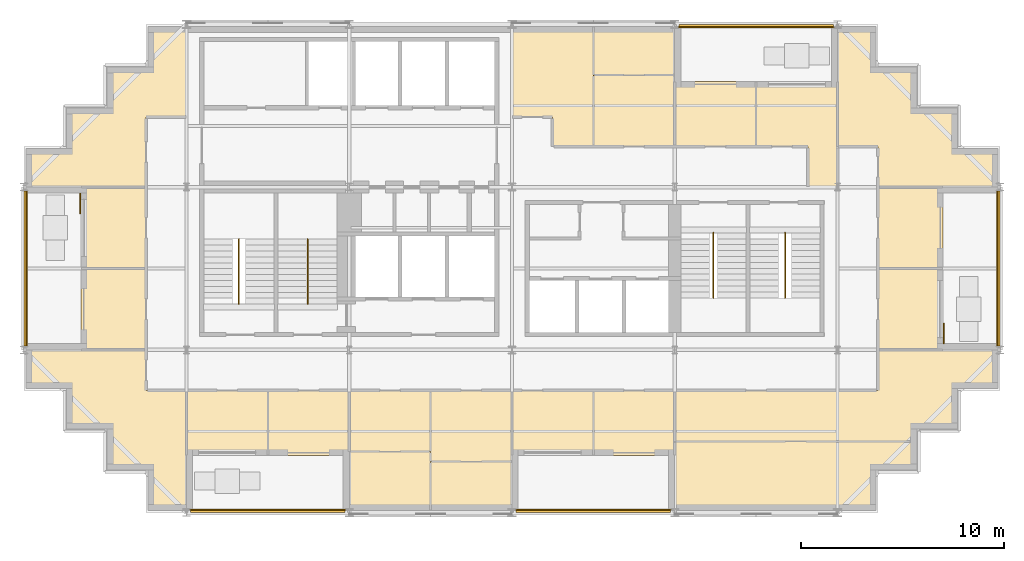
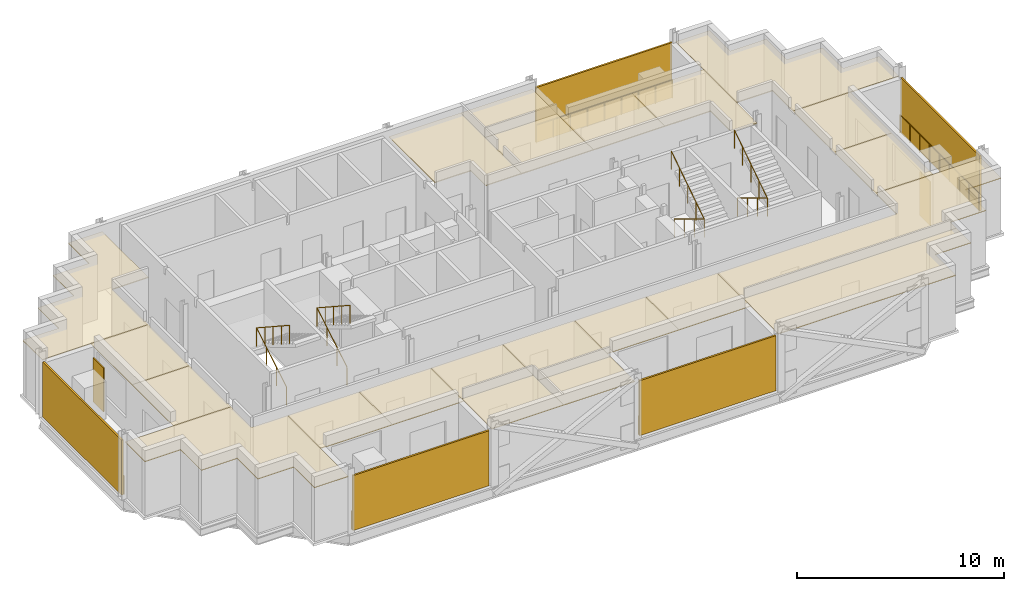
# One storey, part 9 of 10: 22 coverings, 9 railings, 7 shading devices.
"""IFC4 building model written with IfcOpenShell, lengths in metres."""

import ifcopenshell
import ifcopenshell.guid

model = None  # the IFC model being written
_history = None  # IfcOwnerHistory: only IFC2X3 demands one
_inside = {}  # id of a spatial element -> (the spatial element, [elements in it])
_under = {}  # id of a project, library or spatial element -> (it, [spatial elements below it])
_declared = {}  # id of a project -> (the project, [libraries it declares])
_typed = {}  # id of a type object -> (the type object, [elements of that type])
_made_of = {}  # id of a material, layer set ... -> (it, [elements and type objects made of it])


def new_model(schema):
    """Start an empty IFC model of exactly this schema.

    Asked for "IFC4X3", IfcOpenShell would pick the latest addendum, in which some entities
    have other attributes; the version numbers below select the first issue.
    IFC2X3 requires an IfcOwnerHistory on every rooted entity: one is made here for all.
    """
    global model, _history
    if schema == "IFC4X3":
        model = ifcopenshell.file(schema_version=(4, 3, 0, 0))
    else:
        model = ifcopenshell.file(schema=schema)
    _inside.clear()
    _under.clear()
    _declared.clear()
    _typed.clear()
    _made_of.clear()
    _history = None
    if model.schema == "IFC2X3":
        org = make("IfcOrganization", Name="unknown")
        user = make(
            "IfcPersonAndOrganization",
            ThePerson=make("IfcPerson", FamilyName="unknown"),
            TheOrganization=org,
        )
        app = make(
            "IfcApplication",
            ApplicationDeveloper=org,
            Version="unknown",
            ApplicationFullName="unknown",
            ApplicationIdentifier="unknown",
        )
        _history = make(
            "IfcOwnerHistory",
            OwningUser=user,
            OwningApplication=app,
            ChangeAction="ADDED",
            CreationDate=0,
        )
    return model


def make(cls, **values):
    """One entity of the class cls with the attributes given. An attribute that is None is left unset."""
    return model.create_entity(
        cls, **{name: value for name, value in values.items() if value is not None}
    )


def rooted(cls, **values):
    """An entity with a GlobalId (a new one), such as an element, a storey or a relation."""
    return make(cls, GlobalId=ifcopenshell.guid.new(), OwnerHistory=_history, **values)


def si_unit(unit_type, name, prefix=None):
    """IfcSIUnit, for example si_unit("LENGTHUNIT", "METRE", prefix="MILLI")."""
    return make("IfcSIUnit", UnitType=unit_type, Prefix=prefix, Name=name)


def assignment(units):
    """IfcUnitAssignment: the units of a project."""
    return None if units is None else make("IfcUnitAssignment", Units=units)


def point(xyz):
    """IfcCartesianPoint."""
    return None if xyz is None else make("IfcCartesianPoint", Coordinates=xyz)


def direction(xyz):
    """IfcDirection."""
    return None if xyz is None else make("IfcDirection", DirectionRatios=xyz)


def frame(location, z_axis=None, x_axis=None):
    """IfcAxis2Placement3D, a coordinate frame: its origin and axes. An axis left out is left unset."""
    return make(
        "IfcAxis2Placement3D",
        Location=point(location),
        Axis=direction(z_axis),
        RefDirection=direction(x_axis),
    )


def frame_2d(location, x_axis=None):
    """IfcAxis2Placement2D, a coordinate frame in the plane: its origin and x axis."""
    return make(
        "IfcAxis2Placement2D", Location=point(location), RefDirection=direction(x_axis)
    )


def origin():
    """The frame at (0, 0, 0) with its axes left unset."""
    return frame((0.0, 0.0, 0.0))


def origin_2d():
    """The frame at (0, 0) in the plane with its x axis left unset."""
    return frame_2d((0.0, 0.0))


def place(relative_to, where):
    """IfcLocalPlacement: puts the frame where relative to a parent placement (None: the world)."""
    return make(
        "IfcLocalPlacement", PlacementRelTo=relative_to, RelativePlacement=where
    )


def context(
    kind, dimensions, precision=None, world=None, true_north=None, identifier=None
):
    """IfcGeometricRepresentationContext, for example the 3D "Model" context."""
    return make(
        "IfcGeometricRepresentationContext",
        ContextIdentifier=identifier,
        ContextType=kind,
        CoordinateSpaceDimension=dimensions,
        Precision=precision,
        WorldCoordinateSystem=world,
        TrueNorth=true_north,
    )


def subcontext(parent, identifier, kind, view, scale=None):
    """IfcGeometricRepresentationSubContext, for example "Body" below "Model"."""
    return make(
        "IfcGeometricRepresentationSubContext",
        ContextIdentifier=identifier,
        ContextType=kind,
        ParentContext=parent,
        TargetScale=scale,
        TargetView=view,
    )


def project(units=None, contexts=None):
    """IfcProject with its units and contexts."""
    return rooted(
        "IfcProject",
        Name="project",
        RepresentationContexts=contexts,
        UnitsInContext=assignment(units),
    )


def spatial(cls, under=None, at=None, **own):
    """A site, building, storey or space (cls), placed at a placement, below another one or the project."""
    s = rooted(cls, ObjectPlacement=at, **own)
    if under is not None:
        _under.setdefault(under.id(), (under, []))[1].append(s)
    return s


def polyline(points):
    """IfcPolyline through the points."""
    return make("IfcPolyline", Points=[point(p) for p in points])


def profile(cls, at=None, kind="AREA", **sizes):
    """A parametric profile (cls). Its sizes go by their IFC names, for example OverallWidth=200.0."""
    return make(cls, ProfileType=kind, Position=at, **sizes)


def rectangle(**sizes):
    """IfcRectangleProfileDef."""
    return profile("IfcRectangleProfileDef", **sizes)


def circle(**sizes):
    """IfcCircleProfileDef."""
    return profile("IfcCircleProfileDef", **sizes)


def outline(outer, holes=None, kind="AREA"):
    """IfcArbitraryClosedProfileDef: a profile drawn as a closed curve; with holes, ...WithVoids."""
    if holes is None:
        return make("IfcArbitraryClosedProfileDef", ProfileType=kind, OuterCurve=outer)
    return make(
        "IfcArbitraryProfileDefWithVoids",
        ProfileType=kind,
        OuterCurve=outer,
        InnerCurves=holes,
    )


def extrude(swept, where, along, depth):
    """IfcExtrudedAreaSolid: the profile swept, set in the frame where, extruded along a direction by depth."""
    return make(
        "IfcExtrudedAreaSolid",
        SweptArea=swept,
        Position=where,
        ExtrudedDirection=direction(along),
        Depth=depth,
    )


def shape(context_of_items, identifier, shape_type, items):
    """IfcShapeRepresentation: the items that make up one representation, for example the "Body"."""
    return make(
        "IfcShapeRepresentation",
        ContextOfItems=context_of_items,
        RepresentationIdentifier=identifier,
        RepresentationType=shape_type,
        Items=items,
    )


def material(Name=None, Category=None):
    """IfcMaterial."""
    return make("IfcMaterial", Name=Name, Category=Category)


def layer(
    of_material, thickness, ventilated=None, Name=None, Category=None, Priority=None
):
    """IfcMaterialLayer: one layer of a wall or slab, of a material (None: an air gap)."""
    return make(
        "IfcMaterialLayer",
        Material=of_material,
        LayerThickness=thickness,
        IsVentilated=ventilated,
        Name=Name,
        Category=Category,
        Priority=Priority,
    )


def layer_set(layers, Name=None):
    """IfcMaterialLayerSet."""
    return make("IfcMaterialLayerSet", MaterialLayers=layers, LayerSetName=Name)


def made_of(thing, what):
    """Note that an element or type object is made of a material, layer set ...; save() writes the relation."""
    if what is not None:
        _made_of.setdefault(what.id(), (what, []))[1].append(thing)
    return thing


def type_object(cls, material=None, **own):
    """A type object (cls), such as IfcWallType, which elements share."""
    return made_of(rooted(cls, **own), material)


def element(
    cls,
    number,
    at=None,
    inside=None,
    cuts=None,
    type_object=None,
    material=None,
    context=None,
    identifier="Body",
    shape_type=None,
    held_by="IfcProductDefinitionShape",
    body=None,
    shapes=None,
    **own,
):
    """One element of the class cls, such as IfcWall. Its Tag is "e" and its number.

    at: its placement. inside: the storey or other place that contains it. cuts: it is an
    opening in that element (IfcRelVoidsElement). A single representation is given by context,
    identifier, shape_type and body (its items); several are given by shapes. held_by: the class
    of the entity that holds the representations. save() writes the other relations.
    """
    e = rooted(cls, Tag="e%d" % number, ObjectPlacement=at, **own)
    if body is not None:
        shapes = [shape(context, identifier, shape_type, body)]
    if shapes is not None:
        e.Representation = make(held_by, Representations=shapes)
    if inside is not None:
        _inside.setdefault(inside.id(), (inside, []))[1].append(e)
    if cuts is not None:
        rooted(
            "IfcRelVoidsElement", RelatingBuildingElement=cuts, RelatedOpeningElement=e
        )
    if type_object is not None:
        _typed.setdefault(type_object.id(), (type_object, []))[1].append(e)
    return made_of(e, material)


def aggregate(whole, parts):
    """IfcRelAggregates: a whole, such as a stair, and the parts it consists of."""
    return rooted("IfcRelAggregates", RelatingObject=whole, RelatedObjects=parts)


def save(model, path):
    """Write the relations noted so far, then the file.

    IfcRelAggregates (storeys below a building ...), IfcRelContainedInSpatialStructure (elements
    in a storey), IfcRelDefinesByType, IfcRelAssociatesMaterial and IfcRelDeclares: one each for
    every whole, place, type object, material and project.
    """
    for whole, parts in _under.values():
        aggregate(whole, parts)
    for where, things in _inside.values():
        rooted(
            "IfcRelContainedInSpatialStructure",
            RelatedElements=things,
            RelatingStructure=where,
        )
    for kind, things in _typed.values():
        rooted("IfcRelDefinesByType", RelatedObjects=things, RelatingType=kind)
    for what, things in _made_of.values():
        rooted("IfcRelAssociatesMaterial", RelatedObjects=things, RelatingMaterial=what)
    for by, libraries in _declared.values():
        rooted("IfcRelDeclares", RelatingContext=by, RelatedDefinitions=libraries)
    model.write(path)


model = new_model("IFC4")

# Units and contexts
model_context = context("Model", 3, precision=1e-05, world=origin(), true_north=direction((0.0, 1.0)))
body_context = subcontext(model_context, "Body", "Model", "MODEL_VIEW")
ifc_project = project(units=[si_unit("LENGTHUNIT", "METRE"), si_unit("AREAUNIT", "SQUARE_METRE"), si_unit("VOLUMEUNIT", "CUBIC_METRE"), si_unit("PLANEANGLEUNIT", "RADIAN"), si_unit("MASSUNIT", "GRAM", prefix="KILO")], contexts=[model_context])

# Site, building, storey
site_placement = place(None, origin())
site = spatial("IfcSite", under=ifc_project, at=site_placement, CompositionType="ELEMENT")
building_placement = place(site_placement, origin())
building = spatial("IfcBuilding", under=site, at=building_placement, Name="Immortelle Media Tower", CompositionType="ELEMENT")
storey_placement = place(building_placement, frame((0.0, 0.0, 279.0)))
storey = spatial("IfcBuildingStorey", under=building, at=storey_placement, Name="L61", CompositionType="ELEMENT", Elevation=279.0)

# Railings
ifc_material_1 = material(Name="Powder-coated aluminium fretwork panel, laminated glass backing", Category="aluminium")
railing_type_1 = type_object("IfcRailingType", Name="Fretwork balustrade 1100", PredefinedType="BALUSTRADE", material=ifc_material_1)
railing_1_placement = place(storey_placement, frame((8.1865234375, 0.139892578125, 0.0)))
element("IfcRailing", 1, at=railing_1_placement, inside=storey, type_object=railing_type_1, Name="Fretwork balustrade L61 S0", PredefinedType="BALUSTRADE", context=body_context, shape_type="SweptSolid", body=[
    extrude(circle(Radius=0.02490234375, at=origin_2d()), frame((0.0, 0.0, 1.0751953125), z_axis=(1.0, 0.0, 0.0), x_axis=(0.0, 1.0, 0.0)), (0.0, 0.0, 1.0), 7.614013671875),
    extrude(circle(Radius=0.02001953125, at=origin_2d()), origin(), (0.0, 0.0, 1.0), 1.050048828125),
    extrude(circle(Radius=0.02001953125, at=origin_2d()), frame((0.95166015625, 0.0, 0.0)), (0.0, 0.0, 1.0), 1.050048828125),
    extrude(circle(Radius=0.02001953125, at=origin_2d()), frame((1.903564453125, 0.0, 0.0)), (0.0, 0.0, 1.0), 1.050048828125),
    extrude(circle(Radius=0.02001953125, at=origin_2d()), frame((2.855224609375, 0.0, 0.0)), (0.0, 0.0, 1.0), 1.050048828125),
    extrude(circle(Radius=0.02001953125, at=origin_2d()), frame((3.80712890625, 0.0, 0.0)), (0.0, 0.0, 1.0), 1.050048828125),
    extrude(circle(Radius=0.02001953125, at=origin_2d()), frame((4.7587890625, 0.0, 0.0)), (0.0, 0.0, 1.0), 1.050048828125),
    extrude(circle(Radius=0.02001953125, at=origin_2d()), frame((5.71044921875, 0.0, 0.0)), (0.0, 0.0, 1.0), 1.050048828125),
    extrude(circle(Radius=0.02001953125, at=origin_2d()), frame((6.662353515625, 0.0, 0.0)), (0.0, 0.0, 1.0), 1.050048828125),
    extrude(circle(Radius=0.02001953125, at=origin_2d()), frame((7.614013671875, 0.0, 0.0)), (0.0, 0.0, 1.0), 1.050048828125),
])
railing_2_placement = place(storey_placement, frame((24.199462890625, 0.139892578125, 0.0)))
element("IfcRailing", 2, at=railing_2_placement, inside=storey, type_object=railing_type_1, Name="Fretwork balustrade L61 S2", PredefinedType="BALUSTRADE", context=body_context, shape_type="SweptSolid", body=[
    extrude(circle(Radius=0.02490234375, at=origin_2d()), frame((0.0, 0.0, 1.0751953125), z_axis=(1.0, 0.0, 0.0), x_axis=(0.0, 1.0, 0.0)), (0.0, 0.0, 1.0), 7.60107421875),
    extrude(circle(Radius=0.02001953125, at=origin_2d()), origin(), (0.0, 0.0, 1.0), 1.050048828125),
    extrude(circle(Radius=0.02001953125, at=origin_2d()), frame((0.9501953125, 0.0, 0.0)), (0.0, 0.0, 1.0), 1.050048828125),
    extrude(circle(Radius=0.02001953125, at=origin_2d()), frame((1.900390625, 0.0, 0.0)), (0.0, 0.0, 1.0), 1.050048828125),
    extrude(circle(Radius=0.02001953125, at=origin_2d()), frame((2.850341796875, 0.0, 0.0)), (0.0, 0.0, 1.0), 1.050048828125),
    extrude(circle(Radius=0.02001953125, at=origin_2d()), frame((3.800537109375, 0.0, 0.0)), (0.0, 0.0, 1.0), 1.050048828125),
    extrude(circle(Radius=0.02001953125, at=origin_2d()), frame((4.750732421875, 0.0, 0.0)), (0.0, 0.0, 1.0), 1.050048828125),
    extrude(circle(Radius=0.02001953125, at=origin_2d()), frame((5.70068359375, 0.0, 0.0)), (0.0, 0.0, 1.0), 1.050048828125),
    extrude(circle(Radius=0.02001953125, at=origin_2d()), frame((6.65087890625, 0.0, 0.0)), (0.0, 0.0, 1.0), 1.050048828125),
    extrude(circle(Radius=0.02001953125, at=origin_2d()), frame((7.60107421875, 0.0, 0.0)), (0.0, 0.0, 1.0), 1.050048828125),
])
railing_3_placement = place(storey_placement, frame((47.860107421875, 8.18408203125, 0.0)))
element("IfcRailing", 3, at=railing_3_placement, inside=storey, type_object=railing_type_1, Name="Fretwork balustrade L61 E0", PredefinedType="BALUSTRADE", context=body_context, shape_type="SweptSolid", body=[
    extrude(circle(Radius=0.02490234375, at=origin_2d()), frame((0.0, 0.0, 1.0751953125), z_axis=(0.0, 1.0, 0.0), x_axis=(-1.0, 0.0, 0.0)), (0.0, 0.0, 1.0), 7.6318359375),
    extrude(circle(Radius=0.02001953125, at=origin_2d()), origin(), (0.0, 0.0, 1.0), 1.050048828125),
    extrude(circle(Radius=0.02001953125, at=origin_2d()), frame((0.0, 0.9541015625, 0.0)), (0.0, 0.0, 1.0), 1.050048828125),
    extrude(circle(Radius=0.02001953125, at=origin_2d()), frame((0.0, 1.907958984375, 0.0)), (0.0, 0.0, 1.0), 1.050048828125),
    extrude(circle(Radius=0.02001953125, at=origin_2d()), frame((0.0, 2.86181640625, 0.0)), (0.0, 0.0, 1.0), 1.050048828125),
    extrude(circle(Radius=0.02001953125, at=origin_2d()), frame((0.0, 3.81591796875, 0.0)), (0.0, 0.0, 1.0), 1.050048828125),
    extrude(circle(Radius=0.02001953125, at=origin_2d()), frame((0.0, 4.77001953125, 0.0)), (0.0, 0.0, 1.0), 1.050048828125),
    extrude(circle(Radius=0.02001953125, at=origin_2d()), frame((0.0, 5.723876953125, 0.0)), (0.0, 0.0, 1.0), 1.050048828125),
    extrude(circle(Radius=0.02001953125, at=origin_2d()), frame((0.0, 6.677734375, 0.0)), (0.0, 0.0, 1.0), 1.050048828125),
    extrude(circle(Radius=0.02001953125, at=origin_2d()), frame((0.0, 7.6318359375, 0.0)), (0.0, 0.0, 1.0), 1.050048828125),
])
railing_4_placement = place(storey_placement, frame((39.8134765625, 23.860107421875, 0.0)))
element("IfcRailing", 4, at=railing_4_placement, inside=storey, type_object=railing_type_1, Name="Fretwork balustrade L61 N0", PredefinedType="BALUSTRADE", context=body_context, shape_type="SweptSolid", body=[
    extrude(circle(Radius=0.02490234375, at=origin_2d()), frame((0.0, 0.0, 1.0751953125), z_axis=(-1.0, 0.0, 0.0), x_axis=(0.0, -1.0, 0.0)), (0.0, 0.0, 1.0), 7.614013671875),
    extrude(circle(Radius=0.02001953125, at=origin_2d()), origin(), (0.0, 0.0, 1.0), 1.050048828125),
    extrude(circle(Radius=0.02001953125, at=origin_2d()), frame((-0.95166015625, 0.0, 0.0)), (0.0, 0.0, 1.0), 1.050048828125),
    extrude(circle(Radius=0.02001953125, at=origin_2d()), frame((-1.903564453125, 0.0, 0.0)), (0.0, 0.0, 1.0), 1.050048828125),
    extrude(circle(Radius=0.02001953125, at=origin_2d()), frame((-2.855224609375, 0.0, 0.0)), (0.0, 0.0, 1.0), 1.050048828125),
    extrude(circle(Radius=0.02001953125, at=origin_2d()), frame((-3.80712890625, 0.0, 0.0)), (0.0, 0.0, 1.0), 1.050048828125),
    extrude(circle(Radius=0.02001953125, at=origin_2d()), frame((-4.7587890625, 0.0, 0.0)), (0.0, 0.0, 1.0), 1.050048828125),
    extrude(circle(Radius=0.02001953125, at=origin_2d()), frame((-5.71044921875, 0.0, 0.0)), (0.0, 0.0, 1.0), 1.050048828125),
    extrude(circle(Radius=0.02001953125, at=origin_2d()), frame((-6.662353515625, 0.0, 0.0)), (0.0, 0.0, 1.0), 1.050048828125),
    extrude(circle(Radius=0.02001953125, at=origin_2d()), frame((-7.614013671875, 0.0, 0.0)), (0.0, 0.0, 1.0), 1.050048828125),
])
railing_5_placement = place(storey_placement, frame((0.139892578125, 15.81591796875, 0.0)))
element("IfcRailing", 5, at=railing_5_placement, inside=storey, type_object=railing_type_1, Name="Fretwork balustrade L61 W0", PredefinedType="BALUSTRADE", context=body_context, shape_type="SweptSolid", body=[
    extrude(circle(Radius=0.02490234375, at=origin_2d()), frame((0.0, 0.0, 1.0751953125), z_axis=(0.0, -1.0, 0.0), x_axis=(1.0, 0.0, 0.0)), (0.0, 0.0, 1.0), 7.6318359375),
    extrude(circle(Radius=0.02001953125, at=origin_2d()), origin(), (0.0, 0.0, 1.0), 1.050048828125),
    extrude(circle(Radius=0.02001953125, at=origin_2d()), frame((0.0, -0.9541015625, 0.0)), (0.0, 0.0, 1.0), 1.050048828125),
    extrude(circle(Radius=0.02001953125, at=origin_2d()), frame((0.0, -1.907958984375, 0.0)), (0.0, 0.0, 1.0), 1.050048828125),
    extrude(circle(Radius=0.02001953125, at=origin_2d()), frame((0.0, -2.86181640625, 0.0)), (0.0, 0.0, 1.0), 1.050048828125),
    extrude(circle(Radius=0.02001953125, at=origin_2d()), frame((0.0, -3.81591796875, 0.0)), (0.0, 0.0, 1.0), 1.050048828125),
    extrude(circle(Radius=0.02001953125, at=origin_2d()), frame((0.0, -4.77001953125, 0.0)), (0.0, 0.0, 1.0), 1.050048828125),
    extrude(circle(Radius=0.02001953125, at=origin_2d()), frame((0.0, -5.723876953125, 0.0)), (0.0, 0.0, 1.0), 1.050048828125),
    extrude(circle(Radius=0.02001953125, at=origin_2d()), frame((0.0, -6.677734375, 0.0)), (0.0, 0.0, 1.0), 1.050048828125),
    extrude(circle(Radius=0.02001953125, at=origin_2d()), frame((0.0, -7.6318359375, 0.0)), (0.0, 0.0, 1.0), 1.050048828125),
])

# Shading devices
ifc_material_2 = material(Name="Pale aluminium louvre blades", Category="aluminium")
ifc_layer_1 = layer(ifc_material_2, 0.10009765625)
ifc_layer_set_1 = layer_set([ifc_layer_1], Name="Pale aluminium louvre blades")
shading_device_type_1 = type_object("IfcShadingDeviceType", Name="Jalousie screen 100", PredefinedType="JALOUSIE", material=ifc_layer_set_1)
shading_device_1_placement = place(storey_placement, frame((11.993408203125, 0.050048828125, 0.0), z_axis=(0.0, 0.0, 1.0), x_axis=(1.0, 0.0, 0.0)))
element("IfcShadingDevice", 6, at=shading_device_1_placement, inside=storey, type_object=shading_device_type_1, Name="Jalousie screen L61 S0", PredefinedType="JALOUSIE", context=body_context, shape_type="SweptSolid", body=[
    extrude(rectangle(XDim=7.614013671875, YDim=0.10009765625, at=origin_2d()), origin(), (0.0, 0.0, 1.0), 3.248046875),
])
shading_device_2_placement = place(storey_placement, frame((28.0, 0.050048828125, 0.0), z_axis=(0.0, 0.0, 1.0), x_axis=(1.0, 0.0, 0.0)))
element("IfcShadingDevice", 7, at=shading_device_2_placement, inside=storey, type_object=shading_device_type_1, Name="Jalousie screen L61 S2", PredefinedType="JALOUSIE", context=body_context, shape_type="SweptSolid", body=[
    extrude(rectangle(XDim=7.60107421875, YDim=0.10009765625, at=origin_2d()), origin(), (0.0, 0.0, 1.0), 3.248046875),
])
shading_device_3_placement = place(storey_placement, frame((47.949951171875, 12.0, 0.0), z_axis=(0.0, 0.0, 1.0), x_axis=(0.0, 1.0, 0.0)))
element("IfcShadingDevice", 8, at=shading_device_3_placement, inside=storey, type_object=shading_device_type_1, Name="Jalousie screen L61 E0", PredefinedType="JALOUSIE", context=body_context, shape_type="SweptSolid", body=[
    extrude(rectangle(XDim=7.632080078125, YDim=0.10009765625, at=origin_2d()), origin(), (0.0, 0.0, 1.0), 3.248046875),
])
shading_device_4_placement = place(storey_placement, frame((36.006591796875, 23.949951171875, 0.0), z_axis=(0.0, 0.0, 1.0), x_axis=(-1.0, 0.0, 0.0)))
element("IfcShadingDevice", 9, at=shading_device_4_placement, inside=storey, type_object=shading_device_type_1, Name="Jalousie screen L61 N0", PredefinedType="JALOUSIE", context=body_context, shape_type="SweptSolid", body=[
    extrude(rectangle(XDim=7.614013671875, YDim=0.10009765625, at=origin_2d()), origin(), (0.0, 0.0, 1.0), 3.248046875),
])
shading_device_5_placement = place(storey_placement, frame((0.050048828125, 12.0, 0.0), z_axis=(0.0, 0.0, 1.0), x_axis=(0.0, -1.0, 0.0)))
element("IfcShadingDevice", 10, at=shading_device_5_placement, inside=storey, type_object=shading_device_type_1, Name="Jalousie screen L61 W0", PredefinedType="JALOUSIE", context=body_context, shape_type="SweptSolid", body=[
    extrude(rectangle(XDim=7.632080078125, YDim=0.10009765625, at=origin_2d()), origin(), (0.0, 0.0, 1.0), 3.248046875),
])
ifc_material_3 = material(Name="Pale aluminium louvre blades in a folding frame", Category="aluminium")
ifc_layer_2 = layer(ifc_material_3, 0.050048828125)
ifc_layer_set_2 = layer_set([ifc_layer_2], Name="Pale aluminium louvre blades in a folding frame")
shading_device_type_2 = type_object("IfcShadingDeviceType", Name="Louvred loggia shutter", PredefinedType="SHUTTER", material=ifc_layer_set_2)
for number, where, z_axis, x_axis, name in (
    (11, (45.22509765625, 8.800048828125, 0.0), (0.0, 0.0, 1.0), (0.0, 1.0, 0.0), "Loggia shutter L61 E0"),
    (12, (2.77490234375, 15.199951171875, 0.0), (0.0, 0.0, 1.0), (0.0, -1.0, 0.0), "Loggia shutter L61 W0"),
):
    element("IfcShadingDevice", number, at=place(storey_placement, frame(where, z_axis=z_axis, x_axis=x_axis)), inside=storey, type_object=shading_device_type_2, Name=name, PredefinedType="SHUTTER", context=body_context, shape_type="SweptSolid", body=[
        extrude(rectangle(XDim=1.0, YDim=0.050048828125, at=origin_2d()), origin(), (0.0, 0.0, 1.0), 2.60009765625),
    ])

# Railings
ifc_material_4 = material(Name="Stainless steel AISI 316", Category="steel")
railing_type_2 = type_object("IfcRailingType", Name="Stair guard 1100", PredefinedType="GUARDRAIL", material=ifc_material_4)
for number, where, name in (
    (13, (10.574951171875, 10.5400390625, 0.173828125), "Stair guard SW1"),
    (14, (13.949951171875, 10.5400390625, 0.173828125), "Stair guard SW2"),
):
    element("IfcRailing", number, at=place(storey_placement, frame(where)), inside=storey, type_object=railing_type_2, Name=name, PredefinedType="GUARDRAIL", context=body_context, shape_type="SweptSolid", body=[
        extrude(circle(Radius=0.02392578125, at=origin_2d()), frame((0.0, 0.0, 1.076171875), z_axis=(0.0, 0.857582100076, 0.514347102285), x_axis=(-1.0, 0.0, 0.0)), (0.0, 0.0, 1.0), 3.381591796875),
        extrude(circle(Radius=0.02392578125, at=origin_2d()), frame((0.0, 2.89990234375, 2.8154296875), z_axis=(0.0, -0.836827423118, 0.547466769693), x_axis=(1.0, 0.0, 0.0)), (0.0, 0.0, 1.0), 3.81201171875),
        extrude(circle(Radius=0.02099609375, at=origin_2d()), origin(), (0.0, 0.0, 1.0), 1.052001953125),
        extrude(circle(Radius=0.02099609375, at=origin_2d()), frame((0.0, 0.966552734375, 0.579833984375)), (0.0, 0.0, 1.0), 1.052001953125),
        extrude(circle(Radius=0.02099609375, at=origin_2d()), frame((0.0, 1.933349609375, 1.159423828125)), (0.0, 0.0, 1.0), 1.052001953125),
        extrude(circle(Radius=0.02099609375, at=origin_2d()), frame((0.0, 2.89990234375, 1.7392578125)), (0.0, 0.0, 1.0), 1.052001953125),
        extrude(circle(Radius=0.02099609375, at=origin_2d()), frame((0.0, 2.1025390625, 2.260986328125)), (0.0, 0.0, 1.0), 1.052001953125),
        extrude(circle(Radius=0.02099609375, at=origin_2d()), frame((0.0, 1.304931640625, 2.78271484375)), (0.0, 0.0, 1.0), 1.052001953125),
        extrude(circle(Radius=0.02099609375, at=origin_2d()), frame((0.0, 0.50732421875, 3.304443359375)), (0.0, 0.0, 1.0), 1.052001953125),
        extrude(circle(Radius=0.02099609375, at=origin_2d()), frame((0.0, -0.2900390625, 3.826171875)), (0.0, 0.0, 1.0), 1.052001953125),
    ])
for number, where, name in (
    (15, (33.89990234375, 13.4599609375, 0.173828125), "Stair guard SE1"),
    (16, (37.425048828125, 13.4599609375, 0.173828125), "Stair guard SE2"),
):
    element("IfcRailing", number, at=place(storey_placement, frame(where)), inside=storey, type_object=railing_type_2, Name=name, PredefinedType="GUARDRAIL", context=body_context, shape_type="SweptSolid", body=[
        extrude(circle(Radius=0.02392578125, at=origin_2d()), frame((0.0, 0.0, 1.076171875), z_axis=(0.0, -0.857582100076, 0.514347102285), x_axis=(1.0, 0.0, 0.0)), (0.0, 0.0, 1.0), 3.381591796875),
        extrude(circle(Radius=0.02392578125, at=origin_2d()), frame((0.0, -2.89990234375, 2.8154296875), z_axis=(0.0, 0.836827423118, 0.547466769693), x_axis=(-1.0, 0.0, 0.0)), (0.0, 0.0, 1.0), 3.81201171875),
        extrude(circle(Radius=0.02099609375, at=origin_2d()), origin(), (0.0, 0.0, 1.0), 1.052001953125),
        extrude(circle(Radius=0.02099609375, at=origin_2d()), frame((0.0, -0.966552734375, 0.579833984375)), (0.0, 0.0, 1.0), 1.052001953125),
        extrude(circle(Radius=0.02099609375, at=origin_2d()), frame((0.0, -1.933349609375, 1.159423828125)), (0.0, 0.0, 1.0), 1.052001953125),
        extrude(circle(Radius=0.02099609375, at=origin_2d()), frame((0.0, -2.89990234375, 1.7392578125)), (0.0, 0.0, 1.0), 1.052001953125),
        extrude(circle(Radius=0.02099609375, at=origin_2d()), frame((0.0, -2.1025390625, 2.260986328125)), (0.0, 0.0, 1.0), 1.052001953125),
        extrude(circle(Radius=0.02099609375, at=origin_2d()), frame((0.0, -1.304931640625, 2.78271484375)), (0.0, 0.0, 1.0), 1.052001953125),
        extrude(circle(Radius=0.02099609375, at=origin_2d()), frame((0.0, -0.50732421875, 3.304443359375)), (0.0, 0.0, 1.0), 1.052001953125),
        extrude(circle(Radius=0.02099609375, at=origin_2d()), frame((0.0, 0.2900390625, 3.826171875)), (0.0, 0.0, 1.0), 1.052001953125),
    ])

# Coverings
ifc_material_5 = material(Name="Mineral fibre tile ceiling")
ifc_layer_3 = layer(ifc_material_5, 0.050048828125)
ifc_layer_set_3 = layer_set([ifc_layer_3], Name="Mineral fibre tile ceiling")
covering_type = type_object("IfcCoveringType", Name="Suspended ceiling 50", PredefinedType="CEILING", material=ifc_layer_set_3)
covering_1_placement = place(storey_placement, frame((0.0, 0.0, 3.18798828125)))
element("IfcCovering", 17, at=covering_1_placement, inside=storey, type_object=covering_type, Name="Ceiling L61-001", PredefinedType="CEILING", context=body_context, shape_type="SweptSolid", body=[
    extrude(outline(polyline([(16.0, 6.0), (20.0, 6.0), (20.0, 3.0), (16.0, 3.0), (16.0, 6.0)])), origin(), (0.0, 0.0, 1.0), 0.050048828125),
])
covering_2_placement = place(storey_placement, frame((0.0, 0.0, 3.18798828125)))
element("IfcCovering", 18, at=covering_2_placement, inside=storey, type_object=covering_type, Name="Ceiling L61-002", PredefinedType="CEILING", context=body_context, shape_type="SweptSolid", body=[
    extrude(outline(polyline([(16.0, 3.0), (20.0, 3.0), (20.0, 0.10009765625), (16.0, 0.10009765625), (16.0, 2.800048828125), (16.0, 3.0)])), origin(), (0.0, 0.0, 1.0), 0.050048828125),
])
covering_3_placement = place(storey_placement, frame((0.0, 0.0, 3.18798828125)))
element("IfcCovering", 19, at=covering_3_placement, inside=storey, type_object=covering_type, Name="Ceiling L61-003", PredefinedType="CEILING", context=body_context, shape_type="SweptSolid", body=[
    extrude(outline(polyline([(24.0, 2.800048828125), (24.0, 2.5), (20.0, 2.5), (20.0, 6.0), (24.0, 6.0), (24.0, 2.800048828125)])), origin(), (0.0, 0.0, 1.0), 0.050048828125),
])
covering_4_placement = place(storey_placement, frame((0.0, 0.0, 3.18798828125)))
element("IfcCovering", 20, at=covering_4_placement, inside=storey, type_object=covering_type, Name="Ceiling L61-004", PredefinedType="CEILING", context=body_context, shape_type="SweptSolid", body=[
    extrude(outline(polyline([(24.0, 0.10009765625), (20.0, 0.10009765625), (20.0, 2.5), (24.0, 2.5), (24.0, 0.10009765625)])), origin(), (0.0, 0.0, 1.0), 0.050048828125),
])
covering_5_placement = place(storey_placement, frame((0.0, 0.0, 3.18798828125)))
element("IfcCovering", 21, at=covering_5_placement, inside=storey, type_object=covering_type, Name="Ceiling L61-005", PredefinedType="CEILING", context=body_context, shape_type="SweptSolid", body=[
    extrude(outline(polyline([(32.0, 6.0), (40.0, 6.0), (42.0, 6.0), (42.0, 8.0), (45.199951171875, 8.0), (47.89990234375, 8.0), (47.89990234375, 6.10009765625), (45.89990234375, 6.10009765625), (45.89990234375, 4.10009765625), (43.89990234375, 4.10009765625), (43.89990234375, 3.5), (32.0, 3.5), (32.0, 6.0)])), origin(), (0.0, 0.0, 1.0), 0.050048828125),
])
covering_6_placement = place(storey_placement, frame((0.0, 0.0, 3.18798828125)))
element("IfcCovering", 22, at=covering_6_placement, inside=storey, type_object=covering_type, Name="Ceiling L61-006", PredefinedType="CEILING", context=body_context, shape_type="SweptSolid", body=[
    extrude(outline(polyline([(32.0, 3.5), (43.89990234375, 3.5), (43.89990234375, 2.10009765625), (41.89990234375, 2.10009765625), (41.89990234375, 0.10009765625), (40.0, 0.10009765625), (32.0, 0.10009765625), (32.0, 2.800048828125), (32.0, 3.5)])), origin(), (0.0, 0.0, 1.0), 0.050048828125),
])
covering_7_placement = place(storey_placement, frame((0.0, 0.0, 3.18798828125)))
element("IfcCovering", 23, at=covering_7_placement, inside=storey, type_object=covering_type, Name="Ceiling L61-007", PredefinedType="CEILING", context=body_context, shape_type="SweptSolid", body=[
    extrude(outline(polyline([(8.0, 6.0), (12.0, 6.0), (12.0, 2.800048828125), (8.0, 2.800048828125), (8.0, 6.0)])), origin(), (0.0, 0.0, 1.0), 0.050048828125),
])
covering_8_placement = place(storey_placement, frame((0.0, 0.0, 3.18798828125)))
element("IfcCovering", 24, at=covering_8_placement, inside=storey, type_object=covering_type, Name="Ceiling L61-008", PredefinedType="CEILING", context=body_context, shape_type="SweptSolid", body=[
    extrude(outline(polyline([(16.0, 6.0), (16.0, 2.800048828125), (12.0, 2.800048828125), (12.0, 6.0), (16.0, 6.0)])), origin(), (0.0, 0.0, 1.0), 0.050048828125),
])
covering_9_placement = place(storey_placement, frame((0.0, 0.0, 3.18798828125)))
element("IfcCovering", 25, at=covering_9_placement, inside=storey, type_object=covering_type, Name="Ceiling L61-009", PredefinedType="CEILING", context=body_context, shape_type="SweptSolid", body=[
    extrude(outline(polyline([(24.0, 6.0), (26.0, 6.0), (28.0, 6.0), (28.0, 2.800048828125), (24.0, 2.800048828125), (24.0, 6.0)])), origin(), (0.0, 0.0, 1.0), 0.050048828125),
])
covering_10_placement = place(storey_placement, frame((0.0, 0.0, 3.18798828125)))
element("IfcCovering", 26, at=covering_10_placement, inside=storey, type_object=covering_type, Name="Ceiling L61-010", PredefinedType="CEILING", context=body_context, shape_type="SweptSolid", body=[
    extrude(outline(polyline([(32.0, 6.0), (32.0, 2.800048828125), (28.0, 2.800048828125), (28.0, 6.0), (32.0, 6.0)])), origin(), (0.0, 0.0, 1.0), 0.050048828125),
])
covering_11_placement = place(storey_placement, frame((0.0, 0.0, 3.18798828125)))
element("IfcCovering", 27, at=covering_11_placement, inside=storey, type_object=covering_type, Name="Ceiling L61-011", PredefinedType="CEILING", context=body_context, shape_type="SweptSolid", body=[
    extrude(outline(polyline([(6.10009765625, 0.10009765625), (6.10009765625, 2.10009765625), (4.10009765625, 2.10009765625), (4.10009765625, 4.10009765625), (2.10009765625, 4.10009765625), (2.10009765625, 6.10009765625), (0.10009765625, 6.10009765625), (0.10009765625, 8.0), (2.800048828125, 8.0), (6.0, 8.0), (6.0, 6.0), (8.0, 6.0), (8.0, 2.800048828125), (8.0, 0.10009765625), (6.10009765625, 0.10009765625)])), origin(), (0.0, 0.0, 1.0), 0.050048828125),
])
covering_12_placement = place(storey_placement, frame((0.0, 0.0, 3.18798828125)))
element("IfcCovering", 28, at=covering_12_placement, inside=storey, type_object=covering_type, Name="Ceiling L61-012", PredefinedType="CEILING", context=body_context, shape_type="SweptSolid", body=[
    extrude(outline(polyline([(2.800048828125, 8.0), (2.800048828125, 12.0), (6.0, 12.0), (6.0, 8.0), (2.800048828125, 8.0)])), origin(), (0.0, 0.0, 1.0), 0.050048828125),
])
covering_13_placement = place(storey_placement, frame((0.0, 0.0, 3.18798828125)))
element("IfcCovering", 29, at=covering_13_placement, inside=storey, type_object=covering_type, Name="Ceiling L61-013", PredefinedType="CEILING", context=body_context, shape_type="SweptSolid", body=[
    extrude(outline(polyline([(2.800048828125, 16.0), (6.0, 16.0), (6.0, 12.0), (2.800048828125, 12.0), (2.800048828125, 16.0)])), origin(), (0.0, 0.0, 1.0), 0.050048828125),
])
covering_14_placement = place(storey_placement, frame((0.0, 0.0, 3.18798828125)))
element("IfcCovering", 30, at=covering_14_placement, inside=storey, type_object=covering_type, Name="Ceiling L61-014", PredefinedType="CEILING", context=body_context, shape_type="SweptSolid", body=[
    extrude(outline(polyline([(42.0, 8.0), (42.0, 12.0), (45.199951171875, 12.0), (45.199951171875, 8.0), (42.0, 8.0)])), origin(), (0.0, 0.0, 1.0), 0.050048828125),
])
covering_15_placement = place(storey_placement, frame((0.0, 0.0, 3.18798828125)))
element("IfcCovering", 31, at=covering_15_placement, inside=storey, type_object=covering_type, Name="Ceiling L61-015", PredefinedType="CEILING", context=body_context, shape_type="SweptSolid", body=[
    extrude(outline(polyline([(42.0, 16.0), (45.199951171875, 16.0), (45.199951171875, 12.0), (42.0, 12.0), (42.0, 16.0)])), origin(), (0.0, 0.0, 1.0), 0.050048828125),
])
covering_16_placement = place(storey_placement, frame((0.0, 0.0, 3.18798828125)))
element("IfcCovering", 32, at=covering_16_placement, inside=storey, type_object=covering_type, Name="Ceiling L61-016", PredefinedType="CEILING", context=body_context, shape_type="SweptSolid", body=[
    extrude(outline(polyline([(2.800048828125, 16.0), (0.10009765625, 16.0), (0.10009765625, 17.89990234375), (2.10009765625, 17.89990234375), (2.10009765625, 19.89990234375), (4.10009765625, 19.89990234375), (4.10009765625, 20.0), (4.10009765625, 21.89990234375), (6.10009765625, 21.89990234375), (6.10009765625, 23.89990234375), (8.0, 23.89990234375), (8.0, 20.0), (8.0, 19.449951171875), (6.0, 19.449951171875), (6.0, 16.0), (2.800048828125, 16.0)])), origin(), (0.0, 0.0, 1.0), 0.050048828125),
])
covering_17_placement = place(storey_placement, frame((0.0, 0.0, 3.18798828125)))
element("IfcCovering", 33, at=covering_17_placement, inside=storey, type_object=covering_type, Name="Ceiling L61-017", PredefinedType="CEILING", context=body_context, shape_type="SweptSolid", body=[
    extrude(outline(polyline([(45.199951171875, 16.0), (42.0, 16.0), (42.0, 18.0), (40.0, 18.0), (40.0, 21.199951171875), (40.0, 23.89990234375), (41.89990234375, 23.89990234375), (41.89990234375, 21.89990234375), (43.89990234375, 21.89990234375), (43.89990234375, 19.89990234375), (45.89990234375, 19.89990234375), (45.89990234375, 17.89990234375), (47.89990234375, 17.89990234375), (47.89990234375, 16.0), (45.199951171875, 16.0)])), origin(), (0.0, 0.0, 1.0), 0.050048828125),
])
covering_18_placement = place(storey_placement, frame((0.0, 0.0, 3.18798828125)))
element("IfcCovering", 34, at=covering_18_placement, inside=storey, type_object=covering_type, Name="Ceiling L61-018", PredefinedType="CEILING", context=body_context, shape_type="SweptSolid", body=[
    extrude(outline(polyline([(32.0, 18.0), (32.0, 21.199951171875), (36.0, 21.199951171875), (36.0, 18.0), (32.0, 18.0)])), origin(), (0.0, 0.0, 1.0), 0.050048828125),
])
covering_19_placement = place(storey_placement, frame((0.0, 0.0, 3.18798828125)))
element("IfcCovering", 35, at=covering_19_placement, inside=storey, type_object=covering_type, Name="Ceiling L61-019", PredefinedType="CEILING", context=body_context, shape_type="SweptSolid", body=[
    extrude(outline(polyline([(38.550048828125, 18.0), (36.0, 18.0), (36.0, 21.199951171875), (40.0, 21.199951171875), (40.0, 18.0), (40.0, 16.0), (38.550048828125, 16.0), (38.550048828125, 18.0)])), origin(), (0.0, 0.0, 1.0), 0.050048828125),
])
covering_20_placement = place(storey_placement, frame((0.0, 0.0, 3.18798828125)))
element("IfcCovering", 36, at=covering_20_placement, inside=storey, type_object=covering_type, Name="Ceiling L61-020", PredefinedType="CEILING", context=body_context, shape_type="SweptSolid", body=[
    extrude(outline(polyline([(26.0, 18.0), (26.0, 19.449951171875), (24.0, 19.449951171875), (24.0, 21.199951171875), (24.0, 23.89990234375), (28.0, 23.89990234375), (28.0, 18.0), (27.0, 18.0), (26.0, 18.0)])), origin(), (0.0, 0.0, 1.0), 0.050048828125),
])
covering_21_placement = place(storey_placement, frame((0.0, 0.0, 3.18798828125)))
element("IfcCovering", 37, at=covering_21_placement, inside=storey, type_object=covering_type, Name="Ceiling L61-021", PredefinedType="CEILING", context=body_context, shape_type="SweptSolid", body=[
    extrude(outline(polyline([(32.0, 21.199951171875), (32.0, 18.0), (28.0, 18.0), (28.0, 21.5), (32.0, 21.5), (32.0, 21.199951171875)])), origin(), (0.0, 0.0, 1.0), 0.050048828125),
])
covering_22_placement = place(storey_placement, frame((0.0, 0.0, 3.18798828125)))
element("IfcCovering", 38, at=covering_22_placement, inside=storey, type_object=covering_type, Name="Ceiling L61-022", PredefinedType="CEILING", context=body_context, shape_type="SweptSolid", body=[
    extrude(outline(polyline([(32.0, 21.5), (28.0, 21.5), (28.0, 23.89990234375), (32.0, 23.89990234375), (32.0, 21.5)])), origin(), (0.0, 0.0, 1.0), 0.050048828125),
])

save(model, "model.ifc")
